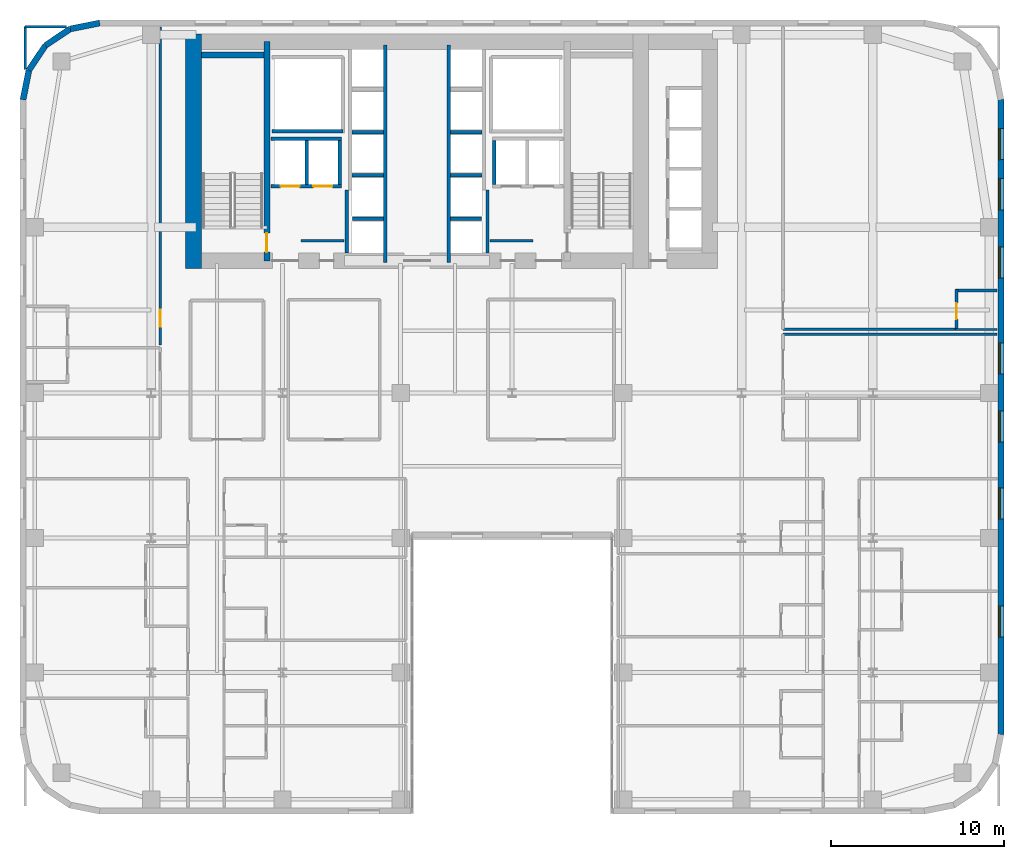
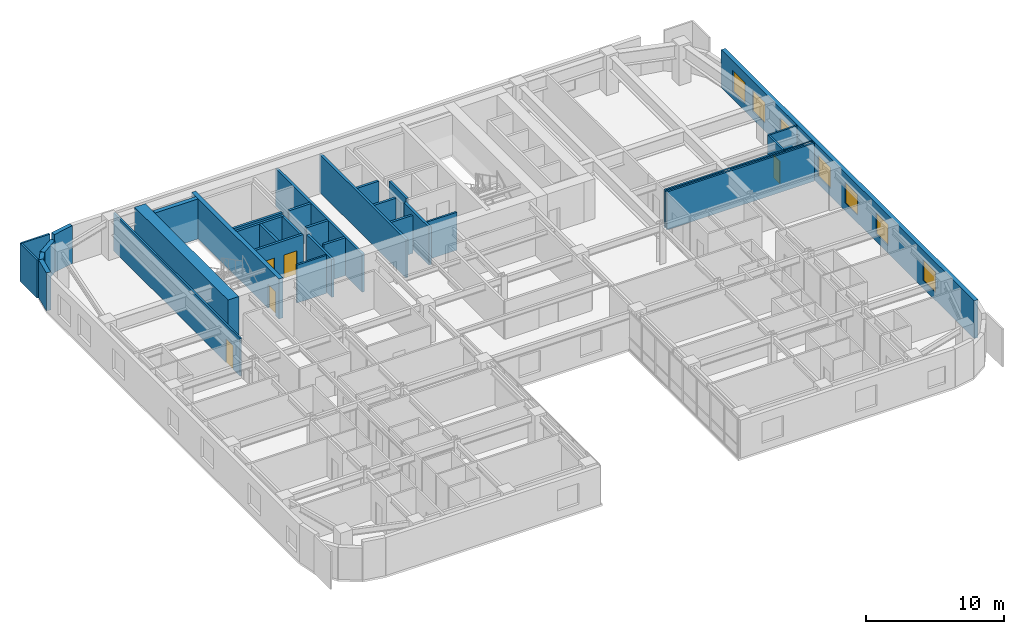
# One storey, part 14 of 17: 34 walls, 7 windows, 5 doors, 12 openings.
"""IFC4 building model written with IfcOpenShell, lengths in metres."""

from ifc_helpers import new_model, si_unit, direction, frame, frame_2d, origin, place, context, subcontext, project, spatial, rectangle, extrude, source, transform, mapped, material, layer, layer_set, type_object, type_shapes, element, fill, save


model = new_model("IFC4")

# Units and contexts
model_context = context("Model", 3, precision=1e-05, world=origin(), true_north=direction((0.0, 1.0)))
body_context = subcontext(model_context, "Body", "Model", "MODEL_VIEW")
ifc_project = project(units=[si_unit("LENGTHUNIT", "METRE"), si_unit("AREAUNIT", "SQUARE_METRE"), si_unit("VOLUMEUNIT", "CUBIC_METRE"), si_unit("PLANEANGLEUNIT", "RADIAN"), si_unit("MASSUNIT", "GRAM", prefix="KILO")], contexts=[model_context])

# Site, building, storey
site_placement = place(None, origin())
site = spatial("IfcSite", under=ifc_project, at=site_placement, CompositionType="ELEMENT")
building_placement = place(site_placement, origin())
building = spatial("IfcBuilding", under=site, at=building_placement, Name="Tolvann Quenvar Hotel", CompositionType="ELEMENT")
storey_placement = place(building_placement, frame((0.0, 0.0, 49.75)))
storey = spatial("IfcBuildingStorey", under=building, at=storey_placement, Name="L11", CompositionType="ELEMENT", Elevation=49.75)

# Wall
ifc_material_1 = material(Name="Concrete S80 (80 MPa)", Category="concrete")
ifc_layer_1 = layer(ifc_material_1, 0.89990234375)
ifc_layer_set_1 = layer_set([ifc_layer_1], Name="Concrete S80 (80 MPa)")
wall_type_1 = type_object("IfcWallType", Name="WALL_CORE_900", PredefinedType="SHEAR", material=ifc_layer_set_1)
wall_1_placement = place(storey_placement, frame((10.050048828125, 31.60009765625, 0.0), z_axis=(0.0, 0.0, 1.0), x_axis=(0.0, 1.0, 0.0)))
element("IfcWall", 1, at=wall_1_placement, inside=storey, type_object=wall_type_1, Name="Rear Core W Shear Wall (L11)", PredefinedType="SHEAR", context=body_context, shape_type="SweptSolid", body=[
    extrude(rectangle(XDim=13.599853515625, YDim=0.89990234375, at=frame_2d((6.7998046875, 0.0))), origin(), (0.0, 0.0, 1.0), 3.550048828125),
])

# Wall, opening, door
ifc_material_2 = material(Name="Concrete S65 (65 MPa)", Category="concrete")
ifc_layer_2 = layer(ifc_material_2, 0.35009765625)
ifc_layer_set_2 = layer_set([ifc_layer_2], Name="Concrete S65 (65 MPa)")
wall_type_2 = type_object("IfcWallType", Name="WALL_CORE_INT_350", PredefinedType="SHEAR", material=ifc_layer_set_2)
wall_2_placement = place(storey_placement, frame((14.300048828125, 32.050048828125, 0.0), z_axis=(0.0, 0.0, 1.0), x_axis=(0.0, 1.0, 0.0)))
wall_2 = element("IfcWall", 2, at=wall_2_placement, inside=storey, type_object=wall_type_2, Name="Core Internal Web Shear Wall WEB-W (L11)", PredefinedType="SHEAR", context=body_context, shape_type="SweptSolid", body=[
    extrude(rectangle(XDim=12.699951171875, YDim=0.35009765625, at=frame_2d((6.35009765625, 0.0))), origin(), (0.0, 0.0, 1.0), 3.550048828125),
])
opening_1_placement = place(wall_2_placement, frame((0.5, 0.0, 0.0)))
opening_1 = element("IfcOpeningElement", 3, at=opening_1_placement, cuts=wall_2, Name="Opening FD-120", PredefinedType="OPENING", context=body_context, shape_type="SweptSolid", body=[
    extrude(rectangle(XDim=1.10009765625, YDim=2.1201171875, at=frame_2d((0.550048828125, 1.06005859375))), frame((0.0, 0.18505859375, 0.0), z_axis=(0.0, -1.0, 0.0), x_axis=(1.0, 0.0, 0.0)), (0.0, 0.0, 1.0), 0.3701171875),
])
ifc_material_3 = material(Name="Pressed galvanised steel fire-rated door set", Category="steel")
door_type_1 = type_object("IfcDoorType", Name="DOOR_FIRE_STAIR_1100", OperationType="NOTDEFINED", PredefinedType="DOOR", material=ifc_material_3)
shared_shape_1 = source(origin(), body_context, "Body", "SweptSolid", [
    extrude(rectangle(XDim=1.10009765625, YDim=2.1201171875, at=frame_2d((0.550048828125, 1.06005859375))), frame((0.0, 0.02490234375, 0.0), z_axis=(0.0, -1.0, 0.0), x_axis=(1.0, 0.0, 0.0)), (0.0, 0.0, 1.0), 0.050048828125),
])
type_shapes(door_type_1, [shared_shape_1])
door_1_placement = place(opening_1_placement, origin())
door_1 = element("IfcDoor", 4, at=door_1_placement, inside=storey, type_object=door_type_1, Name="Exit Stair ST-C1 Fire Door (L11)", OperationType="SINGLE_SWING_LEFT", OverallHeight=2.1201171875, OverallWidth=1.10009765625, PredefinedType="DOOR", context=body_context, shape_type="MappedRepresentation", body=[
    mapped(shared_shape_1, transform((0.0, 0.0, 0.0), x_axis=(1.0, 0.0, 0.0), y_axis=(0.0, 1.0, 0.0), z_axis=(0.0, 0.0, 1.0), scale=1.0)),
])
fill(opening_1, door_1)

# Wall
wall_3_placement = place(storey_placement, frame((10.52001953125, 43.97509765625, 0.0), z_axis=(0.0, 0.0, 1.0), x_axis=(1.0, 0.0, 0.0)))
element("IfcWall", 5, at=wall_3_placement, inside=storey, type_object=wall_type_2, Name="Core Stair North Closing Shear Wall STC1-N (L11)", PredefinedType="SHEAR", context=body_context, shape_type="SweptSolid", body=[
    extrude(rectangle(XDim=3.60009765625, YDim=0.35009765625, at=frame_2d((1.800048828125, 0.0))), origin(), (0.0, 0.0, 1.0), 3.550048828125),
])

# Wall, openings, windows
ifc_material_4 = material(Name="Kiln-fired red and buff architectural clay brickwork and terracotta masonry", Category="masonry")
ifc_layer_3 = layer(ifc_material_4, 0.35009765625)
ifc_layer_set_3 = layer_set([ifc_layer_3], Name="Kiln-fired red and buff architectural clay brickwork and terracotta masonry")
wall_type_3 = type_object("IfcWallType", Name="WALL_EXT_BRICK_350", PredefinedType="SOLIDWALL", material=ifc_layer_set_3)
wall_4_placement = place(storey_placement, frame((56.824951171875, 4.6171875, 0.0), z_axis=(0.0, 0.0, 1.0), x_axis=(0.0, 1.0, 0.0)))
wall_4 = element("IfcWall", 6, at=wall_4_placement, inside=storey, type_object=wall_type_3, Name="Exterior Chicago Brick Wall L11-E13", PredefinedType="SOLIDWALL", context=body_context, shape_type="SweptSolid", body=[
    extrude(rectangle(XDim=36.765625, YDim=0.35009765625, at=frame_2d((18.3828125, 0.0))), origin(), (0.0, 0.0, 1.0), 3.3701171875),
])
opening_2_placement = place(wall_4_placement, frame((5.6279296875, 0.0, 0.679931640625)))
opening_2 = element("IfcOpeningElement", 7, at=opening_2_placement, cuts=wall_4, Name="Opening W-03", PredefinedType="OPENING", context=body_context, shape_type="SweptSolid", body=[
    extrude(rectangle(XDim=1.800048828125, YDim=1.85009765625, at=frame_2d((0.89990234375, 0.925048828125))), frame((0.0, 0.18505859375, 0.0), z_axis=(0.0, -1.0, 0.0), x_axis=(1.0, 0.0, 0.0)), (0.0, 0.0, 1.0), 0.3701171875),
])
opening_3_placement = place(wall_4_placement, frame((12.48095703125, 0.0, 0.679931640625)))
opening_3 = element("IfcOpeningElement", 8, at=opening_3_placement, cuts=wall_4, Name="Opening W-03", PredefinedType="OPENING", context=body_context, shape_type="SweptSolid", body=[
    extrude(rectangle(XDim=1.800048828125, YDim=1.85009765625, at=frame_2d((0.89990234375, 0.925048828125))), frame((0.0, 0.18505859375, 0.0), z_axis=(0.0, -1.0, 0.0), x_axis=(1.0, 0.0, 0.0)), (0.0, 0.0, 1.0), 0.3701171875),
])
opening_4_placement = place(wall_4_placement, frame((16.93310546875, 0.0, 0.679931640625)))
opening_4 = element("IfcOpeningElement", 9, at=opening_4_placement, cuts=wall_4, Name="Opening W-03", PredefinedType="OPENING", context=body_context, shape_type="SweptSolid", body=[
    extrude(rectangle(XDim=1.800048828125, YDim=1.85009765625, at=frame_2d((0.89990234375, 0.925048828125))), frame((0.0, 0.18505859375, 0.0), z_axis=(0.0, -1.0, 0.0), x_axis=(1.0, 0.0, 0.0)), (0.0, 0.0, 1.0), 0.3701171875),
])
opening_5_placement = place(wall_4_placement, frame((20.885009765625, 0.0, 0.679931640625)))
opening_5 = element("IfcOpeningElement", 10, at=opening_5_placement, cuts=wall_4, Name="Opening W-03", PredefinedType="OPENING", context=body_context, shape_type="SweptSolid", body=[
    extrude(rectangle(XDim=1.800048828125, YDim=1.85009765625, at=frame_2d((0.89990234375, 0.925048828125))), frame((0.0, 0.18505859375, 0.0), z_axis=(0.0, -1.0, 0.0), x_axis=(1.0, 0.0, 0.0)), (0.0, 0.0, 1.0), 0.3701171875),
])
opening_6_placement = place(wall_4_placement, frame((26.43603515625, 0.0, 0.679931640625)))
opening_6 = element("IfcOpeningElement", 11, at=opening_6_placement, cuts=wall_4, Name="Opening W-03", PredefinedType="OPENING", context=body_context, shape_type="SweptSolid", body=[
    extrude(rectangle(XDim=1.800048828125, YDim=1.85009765625, at=frame_2d((0.89990234375, 0.925048828125))), frame((0.0, 0.18505859375, 0.0), z_axis=(0.0, -1.0, 0.0), x_axis=(1.0, 0.0, 0.0)), (0.0, 0.0, 1.0), 0.3701171875),
])
opening_7_placement = place(wall_4_placement, frame((30.387939453125, 0.0, 0.679931640625)))
opening_7 = element("IfcOpeningElement", 12, at=opening_7_placement, cuts=wall_4, Name="Opening W-03", PredefinedType="OPENING", context=body_context, shape_type="SweptSolid", body=[
    extrude(rectangle(XDim=1.800048828125, YDim=1.85009765625, at=frame_2d((0.89990234375, 0.925048828125))), frame((0.0, 0.18505859375, 0.0), z_axis=(0.0, -1.0, 0.0), x_axis=(1.0, 0.0, 0.0)), (0.0, 0.0, 1.0), 0.3701171875),
])
opening_8_placement = place(wall_4_placement, frame((33.2900390625, 0.0, 0.679931640625)))
opening_8 = element("IfcOpeningElement", 13, at=opening_8_placement, cuts=wall_4, Name="Opening W-03", PredefinedType="OPENING", context=body_context, shape_type="SweptSolid", body=[
    extrude(rectangle(XDim=1.800048828125, YDim=1.85009765625, at=frame_2d((0.89990234375, 0.925048828125))), frame((0.0, 0.18505859375, 0.0), z_axis=(0.0, -1.0, 0.0), x_axis=(1.0, 0.0, 0.0)), (0.0, 0.0, 1.0), 0.3701171875),
])
ifc_material_5 = material(Name="Thermally broken bronze-anodised aluminium frame with double low-E glazing", Category="aluminium")
window_type = type_object("IfcWindowType", Name="WIN_CHI_1800x2050", PartitioningType="TRIPLE_PANEL_HORIZONTAL", PredefinedType="WINDOW", material=ifc_material_5)
shared_shape_2 = source(origin(), body_context, "Body", "SweptSolid", [
    extrude(rectangle(XDim=1.800048828125, YDim=1.85009765625, at=frame_2d((0.89990234375, 0.925048828125))), frame((0.0, 0.090087890625, 0.0), z_axis=(0.0, -1.0, 0.0), x_axis=(1.0, 0.0, 0.0)), (0.0, 0.0, 1.0), 0.06005859375),
])
type_shapes(window_type, [shared_shape_2])
window_1_placement = place(opening_2_placement, origin())
window_1 = element("IfcWindow", 14, at=window_1_placement, inside=storey, type_object=window_type, Name="Chicago Window W-03 (EW-L11-E13-W01)", OverallHeight=1.85009765625, OverallWidth=1.800048828125, PartitioningType="TRIPLE_PANEL_HORIZONTAL", PredefinedType="WINDOW", context=body_context, shape_type="MappedRepresentation", body=[
    mapped(shared_shape_2, transform((0.0, 0.0, 0.0), x_axis=(1.0, 0.0, 0.0), y_axis=(0.0, 1.0, 0.0), z_axis=(0.0, 0.0, 1.0), scale=1.0)),
])
fill(opening_2, window_1)
window_2_placement = place(opening_3_placement, origin())
window_2 = element("IfcWindow", 15, at=window_2_placement, inside=storey, type_object=window_type, Name="Chicago Window W-03 (EW-L11-E13-W02)", OverallHeight=1.85009765625, OverallWidth=1.800048828125, PartitioningType="TRIPLE_PANEL_HORIZONTAL", PredefinedType="WINDOW", context=body_context, shape_type="MappedRepresentation", body=[
    mapped(shared_shape_2, transform((0.0, 0.0, 0.0), x_axis=(1.0, 0.0, 0.0), y_axis=(0.0, 1.0, 0.0), z_axis=(0.0, 0.0, 1.0), scale=1.0)),
])
fill(opening_3, window_2)
window_3_placement = place(opening_4_placement, origin())
window_3 = element("IfcWindow", 16, at=window_3_placement, inside=storey, type_object=window_type, Name="Chicago Window W-03 (EW-L11-E13-W03)", OverallHeight=1.85009765625, OverallWidth=1.800048828125, PartitioningType="TRIPLE_PANEL_HORIZONTAL", PredefinedType="WINDOW", context=body_context, shape_type="MappedRepresentation", body=[
    mapped(shared_shape_2, transform((0.0, 0.0, 0.0), x_axis=(1.0, 0.0, 0.0), y_axis=(0.0, 1.0, 0.0), z_axis=(0.0, 0.0, 1.0), scale=1.0)),
])
fill(opening_4, window_3)
window_4_placement = place(opening_5_placement, origin())
window_4 = element("IfcWindow", 17, at=window_4_placement, inside=storey, type_object=window_type, Name="Chicago Window W-03 (EW-L11-E13-W04)", OverallHeight=1.85009765625, OverallWidth=1.800048828125, PartitioningType="TRIPLE_PANEL_HORIZONTAL", PredefinedType="WINDOW", context=body_context, shape_type="MappedRepresentation", body=[
    mapped(shared_shape_2, transform((0.0, 0.0, 0.0), x_axis=(1.0, 0.0, 0.0), y_axis=(0.0, 1.0, 0.0), z_axis=(0.0, 0.0, 1.0), scale=1.0)),
])
fill(opening_5, window_4)
window_5_placement = place(opening_6_placement, origin())
window_5 = element("IfcWindow", 18, at=window_5_placement, inside=storey, type_object=window_type, Name="Chicago Window W-03 (EW-L11-E13-W05)", OverallHeight=1.85009765625, OverallWidth=1.800048828125, PartitioningType="TRIPLE_PANEL_HORIZONTAL", PredefinedType="WINDOW", context=body_context, shape_type="MappedRepresentation", body=[
    mapped(shared_shape_2, transform((0.0, 0.0, 0.0), x_axis=(1.0, 0.0, 0.0), y_axis=(0.0, 1.0, 0.0), z_axis=(0.0, 0.0, 1.0), scale=1.0)),
])
fill(opening_6, window_5)
window_6_placement = place(opening_7_placement, origin())
window_6 = element("IfcWindow", 19, at=window_6_placement, inside=storey, type_object=window_type, Name="Chicago Window W-03 (EW-L11-E13-W06)", OverallHeight=1.85009765625, OverallWidth=1.800048828125, PartitioningType="TRIPLE_PANEL_HORIZONTAL", PredefinedType="WINDOW", context=body_context, shape_type="MappedRepresentation", body=[
    mapped(shared_shape_2, transform((0.0, 0.0, 0.0), x_axis=(1.0, 0.0, 0.0), y_axis=(0.0, 1.0, 0.0), z_axis=(0.0, 0.0, 1.0), scale=1.0)),
])
fill(opening_7, window_6)
window_7_placement = place(opening_8_placement, origin())
window_7 = element("IfcWindow", 20, at=window_7_placement, inside=storey, type_object=window_type, Name="Chicago Window W-03 (EW-L11-E13-W07)", OverallHeight=1.85009765625, OverallWidth=1.800048828125, PartitioningType="TRIPLE_PANEL_HORIZONTAL", PredefinedType="WINDOW", context=body_context, shape_type="MappedRepresentation", body=[
    mapped(shared_shape_2, transform((0.0, 0.0, 0.0), x_axis=(1.0, 0.0, 0.0), y_axis=(0.0, 1.0, 0.0), z_axis=(0.0, 0.0, 1.0), scale=1.0)),
])
fill(opening_8, window_7)

# Walls
wall_5_placement = place(storey_placement, frame((4.6171875, 45.824951171875, 0.0), z_axis=(0.0, 0.0, 1.0), x_axis=(-0.980800971659, -0.195011420161, 0.0)))
element("IfcWall", 21, at=wall_5_placement, inside=storey, type_object=wall_type_3, Name="Exterior Chicago Brick Wall L11-E19", PredefinedType="SOLIDWALL", context=body_context, shape_type="SweptSolid", body=[
    extrude(rectangle(XDim=1.74267578125, YDim=0.35009765625, at=frame_2d((0.871337890625, 0.0))), origin(), (0.0, 0.0, 1.0), 3.3701171875),
])
for number, where, z_axis, x_axis, name in (
    (22, (2.907958984375, 45.485107421875, 0.0), (0.0, 0.0, 1.0), (-0.831483840845, -0.55554893791, 0.0), "Exterior Chicago Brick Wall L11-E20"),
    (23, (1.473388671875, 44.526611328125, 0.0), (0.0, 0.0, 1.0), (-0.55554893791, -0.831483840845, 0.0), "Exterior Chicago Brick Wall L11-E21"),
):
    element("IfcWall", number, at=place(storey_placement, frame(where, z_axis=z_axis, x_axis=x_axis)), inside=storey, type_object=wall_type_3, Name=name, PredefinedType="SOLIDWALL", context=body_context, shape_type="SweptSolid", body=[
        extrude(rectangle(XDim=1.725341796875, YDim=0.35009765625, at=frame_2d((0.86279296875, 0.0))), origin(), (0.0, 0.0, 1.0), 2.83203125),
    ])
wall_6_placement = place(storey_placement, frame((0.514892578125, 43.092041015625, 0.0), z_axis=(0.0, 0.0, 1.0), x_axis=(-0.195011420161, -0.980800971659, 0.0)))
element("IfcWall", 24, at=wall_6_placement, inside=storey, type_object=wall_type_3, Name="Exterior Chicago Brick Wall L11-E22", PredefinedType="SOLIDWALL", context=body_context, shape_type="SweptSolid", body=[
    extrude(rectangle(XDim=1.74267578125, YDim=0.35009765625, at=frame_2d((0.871337890625, 0.0))), origin(), (0.0, 0.0, 1.0), 3.3701171875),
])
ifc_material_6 = material(Name="Moisture-resistant acoustic plumbing wall assembly")
ifc_layer_4 = layer(ifc_material_6, 0.1201171875)
ifc_layer_set_4 = layer_set([ifc_layer_4], Name="Moisture-resistant acoustic plumbing wall assembly")
wall_type_4 = type_object("IfcWallType", Name="WALL_PART_BATH_120", PredefinedType="PLUMBINGWALL", material=ifc_layer_set_4)
wall_7_placement = place(storey_placement, frame((54.179931640625, 28.080078125, 0.0), z_axis=(0.0, 0.0, 1.0), x_axis=(1.0, 0.0, 0.0)))
element("IfcWall", 25, at=wall_7_placement, inside=storey, type_object=wall_type_4, Name="Non-Rated Plumbing Partition PT-SPC-L11-ENS-NE01-S", PredefinedType="PLUMBINGWALL", context=body_context, shape_type="SweptSolid", body=[
    extrude(rectangle(XDim=2.4150390625, YDim=0.1201171875, at=frame_2d((1.20751953125, 0.0))), origin(), (0.0, 0.0, 1.0), 3.3701171875),
])

# Wall, opening, door
ifc_material_7 = material(Name="Acoustic twin-stud fire-rated gypsum plasterboard partition")
ifc_layer_5 = layer(ifc_material_7, 0.14990234375)
ifc_layer_set_5 = layer_set([ifc_layer_5], Name="Acoustic twin-stud fire-rated gypsum plasterboard partition")
wall_type_5 = type_object("IfcWallType", Name="WALL_PART_SUITE_150", PredefinedType="PARTITIONING", material=ifc_layer_set_5)
wall_8_placement = place(storey_placement, frame((54.25, 28.010009765625, 0.0), z_axis=(0.0, 0.0, 1.0), x_axis=(0.0, 1.0, 0.0)))
wall_8 = element("IfcWall", 26, at=wall_8_placement, inside=storey, type_object=wall_type_5, Name="Interior Partition PT-SPC-L11-ENS-NE01-ENT", PredefinedType="PARTITIONING", context=body_context, shape_type="SweptSolid", body=[
    extrude(rectangle(XDim=2.389892578125, YDim=0.14990234375, at=frame_2d((1.19482421875, 0.0))), origin(), (0.0, 0.0, 1.0), 3.3701171875),
])
opening_9_placement = place(wall_8_placement, frame((0.6650390625, 0.0, 0.0)))
opening_9 = element("IfcOpeningElement", 27, at=opening_9_placement, cuts=wall_8, Name="Opening WD-01", PredefinedType="OPENING", context=body_context, shape_type="SweptSolid", body=[
    extrude(rectangle(XDim=0.919921875, YDim=2.010009765625, at=frame_2d((0.4599609375, 1.0048828125))), frame((0.0, 0.0849609375, 0.0), z_axis=(0.0, -1.0, 0.0), x_axis=(1.0, 0.0, 0.0)), (0.0, 0.0, 1.0), 0.169921875),
])
ifc_material_8 = material(Name="Solid-core American oak acoustic fire door leaf in steel frame", Category="steel")
door_type_2 = type_object("IfcDoorType", Name="DOOR_WC_920", OperationType="NOTDEFINED", PredefinedType="DOOR", material=ifc_material_8)
shared_shape_3 = source(origin(), body_context, "Body", "SweptSolid", [
    extrude(rectangle(XDim=0.919921875, YDim=2.010009765625, at=frame_2d((0.4599609375, 1.0048828125))), frame((0.0, 0.02490234375, 0.0), z_axis=(0.0, -1.0, 0.0), x_axis=(1.0, 0.0, 0.0)), (0.0, 0.0, 1.0), 0.050048828125),
])
type_shapes(door_type_2, [shared_shape_3])
door_2_placement = place(opening_9_placement, origin())
door_2 = element("IfcDoor", 28, at=door_2_placement, inside=storey, type_object=door_type_2, Name="Interior Door DOOR-SPC-L11-ENS-NE01", OperationType="SINGLE_SWING_RIGHT", OverallHeight=2.010009765625, OverallWidth=0.919921875, PredefinedType="DOOR", context=body_context, shape_type="MappedRepresentation", body=[
    mapped(shared_shape_3, transform((0.0, 0.0, 0.0), x_axis=(1.0, 0.0, 0.0), y_axis=(0.0, 1.0, 0.0), z_axis=(0.0, 0.0, 1.0), scale=1.0)),
])
fill(opening_9, door_2)

# Walls
wall_9_placement = place(storey_placement, frame((54.179931640625, 30.330078125, 0.0), z_axis=(0.0, 0.0, 1.0), x_axis=(1.0, 0.0, 0.0)))
element("IfcWall", 29, at=wall_9_placement, inside=storey, type_object=wall_type_5, Name="Interior Partition PT-SPC-L11-ENS-NE01-N", PredefinedType="PARTITIONING", context=body_context, shape_type="SweptSolid", body=[
    extrude(rectangle(XDim=2.4150390625, YDim=0.14990234375, at=frame_2d((1.20751953125, 0.0))), origin(), (0.0, 0.0, 1.0), 3.3701171875),
])
for number, where, z_axis, x_axis, name in (
    (30, (16.280029296875, 33.219970703125, 0.0), (0.0, 0.0, 1.0), (1.0, 0.0, 0.0), "Interior Partition PT-SPC-L11-CSW-1-N"),
    (31, (27.235107421875, 33.219970703125, 0.0), (0.0, 0.0, 1.0), (1.0, 0.0, 0.0), "Interior Partition PT-SPC-L11-CSE-2-N"),
):
    element("IfcWall", number, at=place(storey_placement, frame(where, z_axis=z_axis, x_axis=x_axis)), inside=storey, type_object=wall_type_5, Name=name, PredefinedType="PARTITIONING", context=body_context, shape_type="SweptSolid", body=[
        extrude(rectangle(XDim=2.48486328125, YDim=0.14990234375, at=frame_2d((1.242431640625, 0.0))), origin(), (0.0, 0.0, 1.0), 3.3701171875),
    ])

# Wall, opening, door
wall_10_placement = place(storey_placement, frame((8.1201171875, 27.179931640625, 0.0), z_axis=(0.0, 0.0, 1.0), x_axis=(0.0, 1.0, 0.0)))
wall_10 = element("IfcWall", 32, at=wall_10_placement, inside=storey, type_object=wall_type_5, Name="Interior Partition PT-SPC-L11-RM-NW02-ENT", PredefinedType="PARTITIONING", context=body_context, shape_type="SweptSolid", body=[
    extrude(rectangle(XDim=18.4150390625, YDim=0.14990234375, at=frame_2d((9.20751953125, 0.0))), origin(), (0.0, 0.0, 1.0), 3.3701171875),
])
opening_10_placement = place(wall_10_placement, frame((1.044921875, 0.0, 0.0)))
opening_10 = element("IfcOpeningElement", 33, at=opening_10_placement, cuts=wall_10, Name="Opening SD-01", PredefinedType="OPENING", context=body_context, shape_type="SweptSolid", body=[
    extrude(rectangle(XDim=0.97998046875, YDim=2.1201171875, at=frame_2d((0.489990234375, 1.06005859375))), frame((0.0, 0.0849609375, 0.0), z_axis=(0.0, -1.0, 0.0), x_axis=(1.0, 0.0, 0.0)), (0.0, 0.0, 1.0), 0.169921875),
])
door_type_3 = type_object("IfcDoorType", Name="DOOR_SUITE_980", OperationType="NOTDEFINED", PredefinedType="DOOR", material=ifc_material_8)
shared_shape_4 = source(origin(), body_context, "Body", "SweptSolid", [
    extrude(rectangle(XDim=0.97998046875, YDim=2.1201171875, at=frame_2d((0.489990234375, 1.06005859375))), frame((0.0, 0.02490234375, 0.0), z_axis=(0.0, -1.0, 0.0), x_axis=(1.0, 0.0, 0.0)), (0.0, 0.0, 1.0), 0.050048828125),
])
type_shapes(door_type_3, [shared_shape_4])
door_3_placement = place(opening_10_placement, origin())
door_3 = element("IfcDoor", 34, at=door_3_placement, inside=storey, type_object=door_type_3, Name="Interior Door DOOR-SPC-L11-RM-NW02", OperationType="SINGLE_SWING_RIGHT", OverallHeight=2.1201171875, OverallWidth=0.97998046875, PredefinedType="DOOR", context=body_context, shape_type="MappedRepresentation", body=[
    mapped(shared_shape_4, transform((0.0, 0.0, 0.0), x_axis=(1.0, 0.0, 0.0), y_axis=(0.0, 1.0, 0.0), z_axis=(0.0, 0.0, 1.0), scale=1.0)),
])
fill(opening_10, door_3)

# Walls
wall_11_placement = place(storey_placement, frame((0.300048828125, 45.6201171875, 0.0), z_axis=(0.0, 0.0, 1.0), x_axis=(1.0, 0.0, 0.0)))
element("IfcWall", 35, at=wall_11_placement, inside=storey, type_object=wall_type_5, Name="Interior Partition PT-SPC-L11-RM-NW02-E5", PredefinedType="PARTITIONING", context=body_context, shape_type="SweptSolid", body=[
    extrude(rectangle(XDim=2.39599609375, YDim=0.14990234375, at=frame_2d((1.197998046875, 0.0))), origin(), (0.0, 0.0, 1.0), 3.3701171875),
])
wall_12_placement = place(storey_placement, frame((0.300048828125, 43.135009765625, 0.0), z_axis=(0.0, 0.0, 1.0), x_axis=(0.0, 1.0, 0.0)))
element("IfcWall", 36, at=wall_12_placement, inside=storey, type_object=wall_type_5, Name="Interior Partition PT-SPC-L11-RM-NW02-E6", PredefinedType="PARTITIONING", context=body_context, shape_type="SweptSolid", body=[
    extrude(rectangle(XDim=2.485107421875, YDim=0.14990234375, at=frame_2d((1.24267578125, 0.0))), origin(), (0.0, 0.0, 1.0), 3.3701171875),
])
wall_13_placement = place(storey_placement, frame((44.199951171875, 27.800048828125, 0.0), z_axis=(0.0, 0.0, 1.0), x_axis=(1.0, 0.0, 0.0)))
element("IfcWall", 37, at=wall_13_placement, inside=storey, type_object=wall_type_5, Name="Interior Partition PT-SPC-L11-SPA-N", PredefinedType="PARTITIONING", context=body_context, shape_type="SweptSolid", body=[
    extrude(rectangle(XDim=12.39501953125, YDim=0.14990234375, at=frame_2d((6.197509765625, 0.0))), origin(), (0.0, 0.0, 1.0), 3.3701171875),
])
wall_14_placement = place(storey_placement, frame((44.199951171875, 28.080078125, 0.0), z_axis=(0.0, 0.0, 1.0), x_axis=(1.0, 0.0, 0.0)))
element("IfcWall", 38, at=wall_14_placement, inside=storey, type_object=wall_type_5, Name="Interior Partition PT-SPC-L11-RM-NE01-E1", PredefinedType="PARTITIONING", context=body_context, shape_type="SweptSolid", body=[
    extrude(rectangle(XDim=10.030029296875, YDim=0.14990234375, at=frame_2d((5.01513671875, 0.0))), origin(), (0.0, 0.0, 1.0), 3.3701171875),
])
ifc_material_9 = material(Name="Concrete N40 (40 MPa)", Category="concrete")
ifc_layer_6 = layer(ifc_material_9, 0.199951171875)
ifc_layer_set_6 = layer_set([ifc_layer_6], Name="Concrete N40 (40 MPa)")
wall_type_6 = type_object("IfcWallType", Name="WALL_SHAFT_200", PredefinedType="SOLIDWALL", material=ifc_layer_set_6)
wall_15_placement = place(storey_placement, frame((14.60009765625, 39.550048828125, 0.0), z_axis=(0.0, 0.0, 1.0), x_axis=(1.0, 0.0, 0.0)))
element("IfcWall", 39, at=wall_15_placement, inside=storey, type_object=wall_type_6, Name="Service Riser W Shaft Wall S (L11)", PredefinedType="SOLIDWALL", context=body_context, shape_type="SweptSolid", body=[
    extrude(rectangle(XDim=4.099853515625, YDim=0.199951171875, at=frame_2d((2.0498046875, 0.0))), origin(), (0.0, 0.0, 1.0), 3.3701171875),
])
for number, where, z_axis, x_axis, name in (
    (40, (18.919921875, 32.50390625, 0.0), (0.0, 0.0, 1.0), (0.0, 1.0, 0.0), "Firefighting Lobby W Inner Fire Wall (L11)"),
    (41, (27.080078125, 32.50390625, 0.0), (0.0, 0.0, 1.0), (0.0, 1.0, 0.0), "Firefighting Lobby E Inner Fire Wall (L11)"),
):
    element("IfcWall", number, at=place(storey_placement, frame(where, z_axis=z_axis, x_axis=x_axis)), inside=storey, type_object=wall_type_6, Name=name, PredefinedType="SOLIDWALL", context=body_context, shape_type="SweptSolid", body=[
        extrude(rectangle(XDim=3.64599609375, YDim=0.199951171875, at=frame_2d((1.822998046875, 0.0))), origin(), (0.0, 0.0, 1.0), 3.3701171875),
    ])
wall_16_placement = place(storey_placement, frame((21.169921875, 31.9599609375, 0.0), z_axis=(0.0, 0.0, 1.0), x_axis=(0.0, 1.0, 0.0)))
element("IfcWall", 42, at=wall_16_placement, inside=storey, type_object=wall_type_6, Name="Lift Bank E21.1C1 Hoistway Front Wall (L11)", PredefinedType="SOLIDWALL", context=body_context, shape_type="SweptSolid", body=[
    extrude(rectangle(XDim=12.580078125, YDim=0.199951171875, at=frame_2d((6.2900390625, 0.0))), origin(), (0.0, 0.0, 1.0), 3.3701171875),
])
wall_17_placement = place(storey_placement, frame((19.27001953125, 34.5, 0.0), z_axis=(0.0, 0.0, 1.0), x_axis=(1.0, 0.0, 0.0)))
element("IfcWall", 43, at=wall_17_placement, inside=storey, type_object=wall_type_6, Name="Lift Bank E21.1C1 Divider Wall 1 (L11)", PredefinedType="SOLIDWALL", context=body_context, shape_type="SweptSolid", body=[
    extrude(rectangle(XDim=1.800048828125, YDim=0.199951171875, at=frame_2d((0.89990234375, 0.0))), origin(), (0.0, 0.0, 1.0), 3.3701171875),
])
for number, where, z_axis, x_axis, name in (
    (44, (19.22998046875, 37.0, 0.0), (0.0, 0.0, 1.0), (1.0, 0.0, 0.0), "Lift Bank E21.1C1 Divider Wall 2 (L11)"),
    (45, (19.22998046875, 39.5, 0.0), (0.0, 0.0, 1.0), (1.0, 0.0, 0.0), "Lift Bank E21.1C1 Divider Wall 3 (L11)"),
):
    element("IfcWall", number, at=place(storey_placement, frame(where, z_axis=z_axis, x_axis=x_axis)), inside=storey, type_object=wall_type_6, Name=name, PredefinedType="SOLIDWALL", context=body_context, shape_type="SweptSolid", body=[
        extrude(rectangle(XDim=1.840087890625, YDim=0.199951171875, at=frame_2d((0.919921875, 0.0))), origin(), (0.0, 0.0, 1.0), 3.3701171875),
    ])
wall_18_placement = place(storey_placement, frame((27.47509765625, 36.47998046875, 0.0), z_axis=(0.0, 0.0, 1.0), x_axis=(0.0, 1.0, 0.0)))
element("IfcWall", 46, at=wall_18_placement, inside=storey, type_object=wall_type_6, Name="Lift Bank SEC1 Hoistway Cheek Wall 1 (L11)", PredefinedType="SOLIDWALL", context=body_context, shape_type="SweptSolid", body=[
    extrude(rectangle(XDim=2.5400390625, YDim=0.199951171875, at=frame_2d((1.27001953125, 0.0))), origin(), (0.0, 0.0, 1.0), 3.3701171875),
])

# Wall, openings, doors
wall_19_placement = place(storey_placement, frame((14.550048828125, 36.3798828125, 0.0), z_axis=(0.0, 0.0, 1.0), x_axis=(1.0, 0.0, 0.0)))
wall_19 = element("IfcWall", 47, at=wall_19_placement, inside=storey, type_object=wall_type_6, Name="Lift Bank SWC1 Hoistway Front Wall (L11)", PredefinedType="SOLIDWALL", context=body_context, shape_type="SweptSolid", body=[
    extrude(rectangle(XDim=4.074951171875, YDim=0.199951171875, at=frame_2d((2.03759765625, 0.0))), origin(), (0.0, 0.0, 1.0), 3.3701171875),
])
opening_11_placement = place(wall_19_placement, frame((0.550048828125, 0.0, 0.0)))
opening_11 = element("IfcOpeningElement", 48, at=opening_11_placement, cuts=wall_19, Name="Opening LD-01", PredefinedType="OPENING", context=body_context, shape_type="SweptSolid", body=[
    extrude(rectangle(XDim=1.10009765625, YDim=2.1201171875, at=frame_2d((0.550048828125, 1.06005859375))), frame((0.0, 0.10986328125, 0.0), z_axis=(0.0, -1.0, 0.0), x_axis=(1.0, 0.0, 0.0)), (0.0, 0.0, 1.0), 0.219970703125),
])
opening_12_placement = place(wall_19_placement, frame((2.449951171875, 0.0, 0.0)))
opening_12 = element("IfcOpeningElement", 49, at=opening_12_placement, cuts=wall_19, Name="Opening LD-01", PredefinedType="OPENING", context=body_context, shape_type="SweptSolid", body=[
    extrude(rectangle(XDim=1.10009765625, YDim=2.1201171875, at=frame_2d((0.550048828125, 1.06005859375))), frame((0.0, 0.10986328125, 0.0), z_axis=(0.0, -1.0, 0.0), x_axis=(1.0, 0.0, 0.0)), (0.0, 0.0, 1.0), 0.219970703125),
])
ifc_material_10 = material(Name="Brushed 316 stainless steel automatic sliding lift landing door", Category="steel")
door_type_4 = type_object("IfcDoorType", Name="DOOR_LIFT_SLIDE_1100", OperationType="NOTDEFINED", PredefinedType="DOOR", material=ifc_material_10)
shared_shape_5 = source(origin(), body_context, "Body", "SweptSolid", [
    extrude(rectangle(XDim=1.10009765625, YDim=2.1201171875, at=frame_2d((0.550048828125, 1.06005859375))), frame((0.0, 0.02490234375, 0.0), z_axis=(0.0, -1.0, 0.0), x_axis=(1.0, 0.0, 0.0)), (0.0, 0.0, 1.0), 0.050048828125),
])
type_shapes(door_type_4, [shared_shape_5])
door_4_placement = place(opening_11_placement, origin())
door_4 = element("IfcDoor", 50, at=door_4_placement, inside=storey, type_object=door_type_4, Name="Lift FF-1 Sliding Landing Door (L11)", OperationType="SLIDING_TO_LEFT", OverallHeight=2.1201171875, OverallWidth=1.10009765625, PredefinedType="DOOR", context=body_context, shape_type="MappedRepresentation", body=[
    mapped(shared_shape_5, transform((0.0, 0.0, 0.0), x_axis=(1.0, 0.0, 0.0), y_axis=(0.0, 1.0, 0.0), z_axis=(0.0, 0.0, 1.0), scale=1.0)),
])
fill(opening_11, door_4)
door_5_placement = place(opening_12_placement, origin())
door_5 = element("IfcDoor", 51, at=door_5_placement, inside=storey, type_object=door_type_4, Name="Lift SV-1 Sliding Landing Door (L11)", OperationType="SLIDING_TO_RIGHT", OverallHeight=2.1201171875, OverallWidth=1.10009765625, PredefinedType="DOOR", context=body_context, shape_type="MappedRepresentation", body=[
    mapped(shared_shape_5, transform((0.0, 0.0, 0.0), x_axis=(1.0, 0.0, 0.0), y_axis=(0.0, 1.0, 0.0), z_axis=(0.0, 0.0, 1.0), scale=1.0)),
])
fill(opening_12, door_5)

# Walls
wall_20_placement = place(storey_placement, frame((14.550048828125, 39.1201171875, 0.0), z_axis=(0.0, 0.0, 1.0), x_axis=(1.0, 0.0, 0.0)))
element("IfcWall", 52, at=wall_20_placement, inside=storey, type_object=wall_type_6, Name="Lift Bank SWC1 Hoistway Rear Wall (L11)", PredefinedType="SOLIDWALL", context=body_context, shape_type="SweptSolid", body=[
    extrude(rectangle(XDim=4.074951171875, YDim=0.199951171875, at=frame_2d((2.03759765625, 0.0))), origin(), (0.0, 0.0, 1.0), 3.3701171875),
])
for number, where, z_axis, x_axis, name in (
    (53, (18.52490234375, 36.47998046875, 0.0), (0.0, 0.0, 1.0), (0.0, 1.0, 0.0), "Lift Bank SWC1 Hoistway Cheek Wall 2 (L11)"),
    (54, (16.612548828125, 36.47998046875, 0.0), (0.0, 0.0, 1.0), (0.0, 1.0, 0.0), "Lift Bank SWC1 Divider Wall 1 (L11)"),
):
    element("IfcWall", number, at=place(storey_placement, frame(where, z_axis=z_axis, x_axis=x_axis)), inside=storey, type_object=wall_type_6, Name=name, PredefinedType="SOLIDWALL", context=body_context, shape_type="SweptSolid", body=[
        extrude(rectangle(XDim=2.5400390625, YDim=0.199951171875, at=frame_2d((1.27001953125, 0.0))), origin(), (0.0, 0.0, 1.0), 3.3701171875),
    ])
wall_21_placement = place(storey_placement, frame((24.830078125, 31.9599609375, 0.0), z_axis=(0.0, 0.0, 1.0), x_axis=(0.0, 1.0, 0.0)))
element("IfcWall", 55, at=wall_21_placement, inside=storey, type_object=wall_type_6, Name="Lift Bank W24.9C1 Hoistway Front Wall (L11)", PredefinedType="SOLIDWALL", context=body_context, shape_type="SweptSolid", body=[
    extrude(rectangle(XDim=12.580078125, YDim=0.199951171875, at=frame_2d((6.2900390625, 0.0))), origin(), (0.0, 0.0, 1.0), 3.3701171875),
])
wall_22_placement = place(storey_placement, frame((24.929931640625, 34.5, 0.0), z_axis=(0.0, 0.0, 1.0), x_axis=(1.0, 0.0, 0.0)))
element("IfcWall", 56, at=wall_22_placement, inside=storey, type_object=wall_type_6, Name="Lift Bank W24.9C1 Divider Wall 1 (L11)", PredefinedType="SOLIDWALL", context=body_context, shape_type="SweptSolid", body=[
    extrude(rectangle(XDim=1.800048828125, YDim=0.199951171875, at=frame_2d((0.89990234375, 0.0))), origin(), (0.0, 0.0, 1.0), 3.3701171875),
])
for number, where, z_axis, x_axis, name in (
    (57, (24.929931640625, 37.0, 0.0), (0.0, 0.0, 1.0), (1.0, 0.0, 0.0), "Lift Bank W24.9C1 Divider Wall 2 (L11)"),
    (58, (24.929931640625, 39.5, 0.0), (0.0, 0.0, 1.0), (1.0, 0.0, 0.0), "Lift Bank W24.9C1 Divider Wall 3 (L11)"),
):
    element("IfcWall", number, at=place(storey_placement, frame(where, z_axis=z_axis, x_axis=x_axis)), inside=storey, type_object=wall_type_6, Name=name, PredefinedType="SOLIDWALL", context=body_context, shape_type="SweptSolid", body=[
        extrude(rectangle(XDim=1.840087890625, YDim=0.199951171875, at=frame_2d((0.919921875, 0.0))), origin(), (0.0, 0.0, 1.0), 3.3701171875),
    ])

save(model, "model.ifc")
